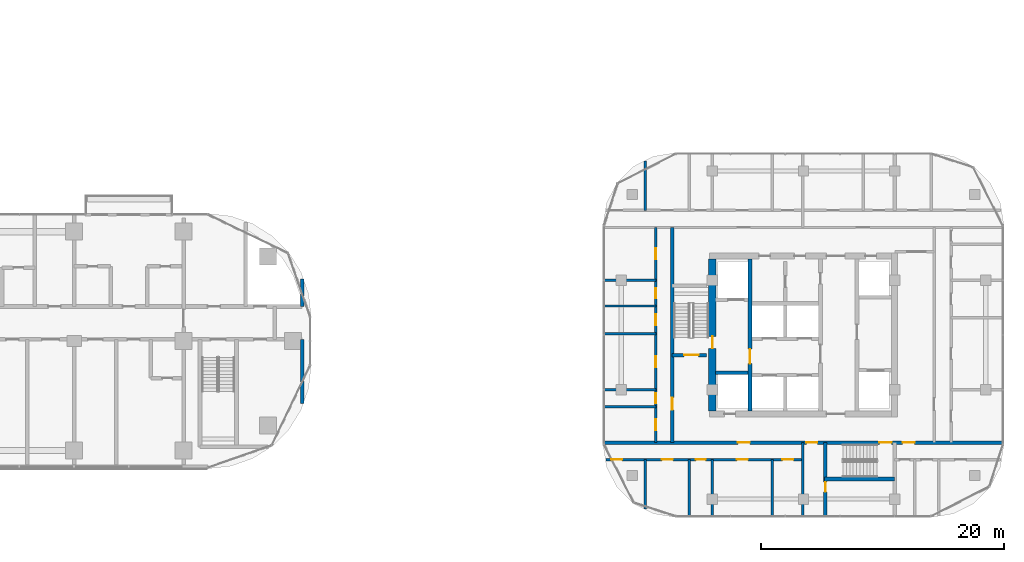
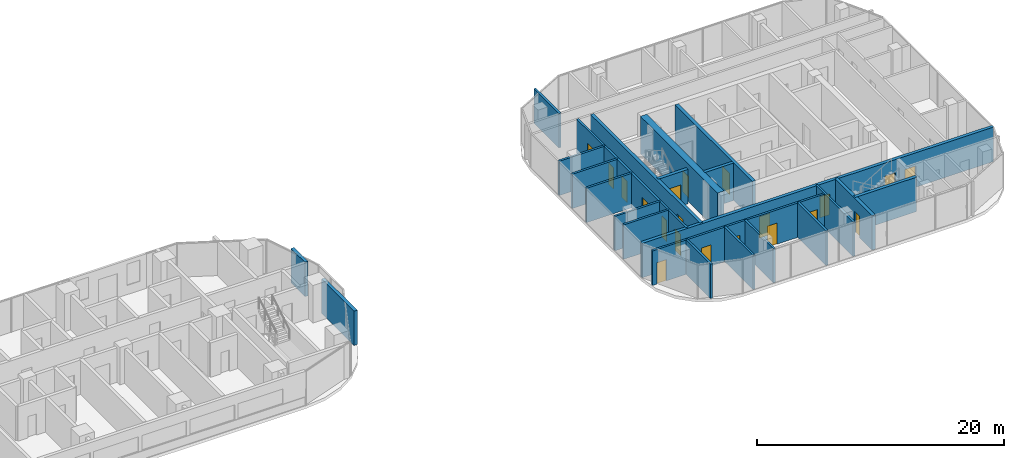
# One storey, part 20 of 31: 23 walls, 20 doors, 20 openings.
"""IFC4 building model written with IfcOpenShell, lengths in metres."""

from ifc_helpers import new_model, si_unit, direction, frame, frame_2d, origin, place, context, subcontext, project, spatial, rectangle, extrude, material, layer, layer_set, type_object, element, fill, save


model = new_model("IFC4")

# Units and contexts
model_context = context("Model", 3, precision=1e-05, world=origin(), true_north=direction((0.0, 1.0)))
body_context = subcontext(model_context, "Body", "Model", "MODEL_VIEW")
ifc_project = project(units=[si_unit("LENGTHUNIT", "METRE"), si_unit("AREAUNIT", "SQUARE_METRE"), si_unit("VOLUMEUNIT", "CUBIC_METRE"), si_unit("PLANEANGLEUNIT", "RADIAN"), si_unit("MASSUNIT", "GRAM", prefix="KILO")], contexts=[model_context])

# Site, building, storey
site_placement = place(None, origin())
site = spatial("IfcSite", under=ifc_project, at=site_placement, CompositionType="ELEMENT")
building_placement = place(site_placement, origin())
building = spatial("IfcBuilding", under=site, at=building_placement, Name="Ogive Portal Towers", CompositionType="ELEMENT")
storey_placement = place(building_placement, frame((0.0, 0.0, 74.199951171875)))
storey = spatial("IfcBuildingStorey", under=building, at=storey_placement, Name="L17", CompositionType="ELEMENT", Elevation=74.199951171875)

# Wall, opening, door
ifc_material_1 = material(Name="Concrete C60/75", Category="concrete")
ifc_layer_1 = layer(ifc_material_1, 0.300048828125)
ifc_layer_set_1 = layer_set([ifc_layer_1], Name="CORE WALL 300 C60")
wall_type_1 = type_object("IfcWallType", Name="CORE WALL 300 C60", PredefinedType="SHEAR", material=ifc_layer_set_1)
wall_1_placement = place(storey_placement, frame((132.10009765625, 24.75, 0.0), z_axis=(0.0, 0.0, 1.0), x_axis=(0.0, 1.0, 0.0)))
wall_1 = element("IfcWall", 1, at=wall_1_placement, inside=storey, type_object=wall_type_1, Name="Tower B core wall BX1 L17", PredefinedType="SHEAR", context=body_context, shape_type="SweptSolid", body=[
    extrude(rectangle(XDim=12.5, YDim=0.300048828125, at=frame_2d((6.25, 0.0))), origin(), (0.0, 0.0, 1.0), 3.699951171875),
])
opening_1_placement = place(wall_1_placement, frame((3.89990234375, 0.0, 0.0)))
opening_1 = element("IfcOpeningElement", 2, at=opening_1_placement, cuts=wall_1, Name="Opening B05-042", PredefinedType="OPENING", context=body_context, shape_type="SweptSolid", body=[
    extrude(rectangle(XDim=1.199951171875, YDim=2.10009765625, at=frame_2d((0.60009765625, 1.050048828125))), frame((0.0, 0.16015625, 0.0), z_axis=(0.0, -1.0, 0.0), x_axis=(1.0, 0.0, 0.0)), (0.0, 0.0, 1.0), 0.320068359375),
])
ifc_material_2 = material(Name="Steel fire door", Category="steel")
door_type_1 = type_object("IfcDoorType", Name="DT-SWING-1200x2100-FD90S", OperationType="SINGLE_SWING_LEFT", PredefinedType="DOOR", material=ifc_material_2)
door_1_placement = place(opening_1_placement, origin())
door_1 = element("IfcDoor", 3, at=door_1_placement, inside=storey, type_object=door_type_1, Name="Door B05-042", OperationType="SINGLE_SWING_LEFT", OverallHeight=2.10009765625, OverallWidth=1.199951171875, PredefinedType="DOOR", context=body_context, shape_type="SweptSolid", body=[
    extrude(rectangle(XDim=1.199951171875, YDim=2.10009765625, at=frame_2d((0.60009765625, 1.050048828125))), frame((0.0, 0.02490234375, 0.0), z_axis=(0.0, -1.0, 0.0), x_axis=(1.0, 0.0, 0.0)), (0.0, 0.0, 1.0), 0.050048828125),
])
fill(opening_1, door_1)

# Wall
wall_2_placement = place(storey_placement, frame((129.25, 27.89990234375, 0.0), z_axis=(0.0, 0.0, 1.0), x_axis=(1.0, 0.0, 0.0)))
element("IfcWall", 4, at=wall_2_placement, inside=storey, type_object=wall_type_1, Name="Tower B core wall BY4 L17", PredefinedType="SHEAR", context=body_context, shape_type="SweptSolid", body=[
    extrude(rectangle(XDim=2.699951171875, YDim=0.300048828125, at=frame_2d((1.35009765625, 0.0))), origin(), (0.0, 0.0, 1.0), 3.699951171875),
])

# Wall, opening, door
ifc_layer_2 = layer(ifc_material_1, 0.60009765625)
ifc_layer_set_2 = layer_set([ifc_layer_2], Name="CORE WALL 600 C60")
wall_type_2 = type_object("IfcWallType", Name="CORE WALL 600 C60", PredefinedType="SHEAR", material=ifc_layer_set_2)
wall_3_placement = place(storey_placement, frame((129.0, 24.75, 0.0), z_axis=(0.0, 0.0, 1.0), x_axis=(0.0, 1.0, 0.0)))
wall_3 = element("IfcWall", 5, at=wall_3_placement, inside=storey, type_object=wall_type_2, Name="Tower B core wall BW L17", PredefinedType="SHEAR", context=body_context, shape_type="SweptSolid", body=[
    extrude(rectangle(XDim=12.5, YDim=0.60009765625, at=frame_2d((6.25, 0.0))), origin(), (0.0, 0.0, 1.0), 3.699951171875),
])
opening_2_placement = place(wall_3_placement, frame((5.14990234375, 0.0, 0.0)))
opening_2 = element("IfcOpeningElement", 6, at=opening_2_placement, cuts=wall_3, Name="Opening B05-044", PredefinedType="OPENING", context=body_context, shape_type="SweptSolid", body=[
    extrude(rectangle(XDim=1.0, YDim=2.10009765625, at=frame_2d((0.5, 1.050048828125))), frame((0.0, 0.31005859375, 0.0), z_axis=(0.0, -1.0, 0.0), x_axis=(1.0, 0.0, 0.0)), (0.0, 0.0, 1.0), 0.6201171875),
])
door_type_2 = type_object("IfcDoorType", Name="DT-SWING-1000x2100-FD90S", OperationType="SINGLE_SWING_LEFT", PredefinedType="DOOR", material=ifc_material_2)
door_2_placement = place(opening_2_placement, origin())
door_2 = element("IfcDoor", 7, at=door_2_placement, inside=storey, type_object=door_type_2, Name="Door B05-044", OperationType="SINGLE_SWING_RIGHT", OverallHeight=2.10009765625, OverallWidth=1.0, PredefinedType="DOOR", context=body_context, shape_type="SweptSolid", body=[
    extrude(rectangle(XDim=1.0, YDim=2.10009765625, at=frame_2d((0.5, 1.050048828125))), frame((0.0, 0.02490234375, 0.0), z_axis=(0.0, -1.0, 0.0), x_axis=(1.0, 0.0, 0.0)), (0.0, 0.0, 1.0), 0.050048828125),
])
fill(opening_2, door_2)

# Wall
ifc_material_3 = material(Name="Concrete C50/60", Category="concrete")
ifc_layer_3 = layer(ifc_material_3, 0.300048828125)
ifc_layer_set_3 = layer_set([ifc_layer_3], Name="STAIR WALL 300 C50")
wall_type_3 = type_object("IfcWallType", Name="STAIR WALL 300 C50", PredefinedType="SHEAR", material=ifc_layer_set_3)
wall_4_placement = place(storey_placement, frame((138.25, 19.14990234375, 0.0), z_axis=(0.0, 0.0, 1.0), x_axis=(1.0, 0.0, 0.0)))
element("IfcWall", 8, at=wall_4_placement, inside=storey, type_object=wall_type_3, Name="Stair wall ST-B2 L17", PredefinedType="SHEAR", context=body_context, shape_type="SweptSolid", body=[
    extrude(rectangle(XDim=5.75, YDim=0.300048828125, at=frame_2d((2.875, 0.0))), origin(), (0.0, 0.0, 1.0), 3.400146484375),
])

# Wall, openings, doors
wall_5_placement = place(storey_placement, frame((120.070068359375, 22.14990234375, 0.0), z_axis=(0.0, 0.0, 1.0), x_axis=(1.0, 0.0, 0.0)))
wall_5 = element("IfcWall", 9, at=wall_5_placement, inside=storey, type_object=wall_type_3, Name="Stair wall ST-B2 L17", PredefinedType="SHEAR", context=body_context, shape_type="SweptSolid", body=[
    extrude(rectangle(XDim=32.85986328125, YDim=0.300048828125, at=frame_2d((16.429931640625, 0.0))), origin(), (0.0, 0.0, 1.0), 3.400146484375),
])
opening_3_placement = place(wall_5_placement, frame((22.679931640625, 0.0, 0.0)))
opening_3 = element("IfcOpeningElement", 10, at=opening_3_placement, cuts=wall_5, Name="Opening B05-003", PredefinedType="OPENING", context=body_context, shape_type="SweptSolid", body=[
    extrude(rectangle(XDim=1.0, YDim=2.10009765625, at=frame_2d((0.5, 1.050048828125))), frame((0.0, 0.16015625, 0.0), z_axis=(0.0, -1.0, 0.0), x_axis=(1.0, 0.0, 0.0)), (0.0, 0.0, 1.0), 0.320068359375),
])
opening_4_placement = place(wall_5_placement, frame((11.030029296875, 0.0, 0.0)))
opening_4 = element("IfcOpeningElement", 11, at=opening_4_placement, cuts=wall_5, Name="Opening B05-016", PredefinedType="OPENING", context=body_context, shape_type="SweptSolid", body=[
    extrude(rectangle(XDim=1.0, YDim=2.10009765625, at=frame_2d((0.5, 1.050048828125))), frame((0.0, 0.16015625, 0.0), z_axis=(0.0, -1.0, 0.0), x_axis=(1.0, 0.0, 0.0)), (0.0, 0.0, 1.0), 0.320068359375),
])
opening_5_placement = place(wall_5_placement, frame((24.580078125, 0.0, 0.0)))
opening_5 = element("IfcOpeningElement", 12, at=opening_5_placement, cuts=wall_5, Name="Opening B05-022", PredefinedType="OPENING", context=body_context, shape_type="SweptSolid", body=[
    extrude(rectangle(XDim=1.0, YDim=2.10009765625, at=frame_2d((0.5, 1.050048828125))), frame((0.0, 0.16015625, 0.0), z_axis=(0.0, -1.0, 0.0), x_axis=(1.0, 0.0, 0.0)), (0.0, 0.0, 1.0), 0.320068359375),
])
opening_6_placement = place(wall_5_placement, frame((16.679931640625, 0.0, 0.0)))
opening_6 = element("IfcOpeningElement", 13, at=opening_6_placement, cuts=wall_5, Name="Opening B05-026", PredefinedType="OPENING", context=body_context, shape_type="SweptSolid", body=[
    extrude(rectangle(XDim=0.89990234375, YDim=2.10009765625, at=frame_2d((0.449951171875, 1.050048828125))), frame((0.0, 0.16015625, 0.0), z_axis=(0.0, -1.0, 0.0), x_axis=(1.0, 0.0, 0.0)), (0.0, 0.0, 1.0), 0.320068359375),
])
door_3_placement = place(opening_3_placement, origin())
door_3 = element("IfcDoor", 14, at=door_3_placement, inside=storey, type_object=door_type_2, Name="Door B05-003", OperationType="SINGLE_SWING_LEFT", OverallHeight=2.10009765625, OverallWidth=1.0, PredefinedType="DOOR", context=body_context, shape_type="SweptSolid", body=[
    extrude(rectangle(XDim=1.0, YDim=2.10009765625, at=frame_2d((0.5, 1.050048828125))), frame((0.0, 0.02490234375, 0.0), z_axis=(0.0, -1.0, 0.0), x_axis=(1.0, 0.0, 0.0)), (0.0, 0.0, 1.0), 0.050048828125),
])
fill(opening_3, door_3)
door_4_placement = place(opening_4_placement, origin())
door_4 = element("IfcDoor", 15, at=door_4_placement, inside=storey, type_object=door_type_2, Name="Door B05-016", OperationType="SINGLE_SWING_RIGHT", OverallHeight=2.10009765625, OverallWidth=1.0, PredefinedType="DOOR", context=body_context, shape_type="SweptSolid", body=[
    extrude(rectangle(XDim=1.0, YDim=2.10009765625, at=frame_2d((0.5, 1.050048828125))), frame((0.0, 0.02490234375, 0.0), z_axis=(0.0, -1.0, 0.0), x_axis=(1.0, 0.0, 0.0)), (0.0, 0.0, 1.0), 0.050048828125),
])
fill(opening_4, door_4)
door_5_placement = place(opening_5_placement, origin())
door_5 = element("IfcDoor", 16, at=door_5_placement, inside=storey, type_object=door_type_2, Name="Door B05-022", OperationType="SINGLE_SWING_RIGHT", OverallHeight=2.10009765625, OverallWidth=1.0, PredefinedType="DOOR", context=body_context, shape_type="SweptSolid", body=[
    extrude(rectangle(XDim=1.0, YDim=2.10009765625, at=frame_2d((0.5, 1.050048828125))), frame((0.0, 0.02490234375, 0.0), z_axis=(0.0, -1.0, 0.0), x_axis=(1.0, 0.0, 0.0)), (0.0, 0.0, 1.0), 0.050048828125),
])
fill(opening_5, door_5)
door_type_3 = type_object("IfcDoorType", Name="DT-SWING-900x2100-FD90S", OperationType="SINGLE_SWING_LEFT", PredefinedType="DOOR", material=ifc_material_2)
door_6_placement = place(opening_6_placement, origin())
door_6 = element("IfcDoor", 17, at=door_6_placement, inside=storey, type_object=door_type_3, Name="Door B05-026", OperationType="SINGLE_SWING_RIGHT", OverallHeight=2.10009765625, OverallWidth=0.89990234375, PredefinedType="DOOR", context=body_context, shape_type="SweptSolid", body=[
    extrude(rectangle(XDim=0.89990234375, YDim=2.10009765625, at=frame_2d((0.449951171875, 1.050048828125))), frame((0.0, 0.02490234375, 0.0), z_axis=(0.0, -1.0, 0.0), x_axis=(1.0, 0.0, 0.0)), (0.0, 0.0, 1.0), 0.050048828125),
])
fill(opening_6, door_6)

# Wall, opening, door
wall_6_placement = place(storey_placement, frame((125.699951171875, 29.35009765625, 0.0), z_axis=(0.0, 0.0, 1.0), x_axis=(1.0, 0.0, 0.0)))
wall_6 = element("IfcWall", 18, at=wall_6_placement, inside=storey, type_object=wall_type_3, Name="Stair wall ST-B1 L17", PredefinedType="SHEAR", context=body_context, shape_type="SweptSolid", body=[
    extrude(rectangle(XDim=2.830078125, YDim=0.300048828125, at=frame_2d((1.4150390625, 0.0))), origin(), (0.0, 0.0, 1.0), 3.400146484375),
])
opening_7_placement = place(wall_6_placement, frame((0.97509765625, 0.0, 0.0)))
opening_7 = element("IfcOpeningElement", 19, at=opening_7_placement, cuts=wall_6, Name="Opening B05-002", PredefinedType="OPENING", context=body_context, shape_type="SweptSolid", body=[
    extrude(rectangle(XDim=1.199951171875, YDim=2.10009765625, at=frame_2d((0.60009765625, 1.050048828125))), frame((0.0, 0.16015625, 0.0), z_axis=(0.0, -1.0, 0.0), x_axis=(1.0, 0.0, 0.0)), (0.0, 0.0, 1.0), 0.320068359375),
])
door_7_placement = place(opening_7_placement, origin())
door_7 = element("IfcDoor", 20, at=door_7_placement, inside=storey, type_object=door_type_1, Name="Door B05-002", OperationType="SINGLE_SWING_RIGHT", OverallHeight=2.10009765625, OverallWidth=1.199951171875, PredefinedType="DOOR", context=body_context, shape_type="SweptSolid", body=[
    extrude(rectangle(XDim=1.199951171875, YDim=2.10009765625, at=frame_2d((0.60009765625, 1.050048828125))), frame((0.0, 0.02490234375, 0.0), z_axis=(0.0, -1.0, 0.0), x_axis=(1.0, 0.0, 0.0)), (0.0, 0.0, 1.0), 0.050048828125),
])
fill(opening_7, door_7)

wall_7_placement = place(storey_placement, frame((125.699951171875, 22.14990234375, 0.0), z_axis=(0.0, 0.0, 1.0), x_axis=(0.0, 1.0, 0.0)))
wall_7 = element("IfcWall", 21, at=wall_7_placement, inside=storey, type_object=wall_type_3, Name="Stair wall ST-B1 L17", PredefinedType="SHEAR", context=body_context, shape_type="SweptSolid", body=[
    extrude(rectangle(XDim=17.7001953125, YDim=0.300048828125, at=frame_2d((8.85009765625, 0.0))), origin(), (0.0, 0.0, 1.0), 3.400146484375),
])
opening_8_placement = place(wall_7_placement, frame((2.699951171875, 0.0, 0.0)))
opening_8 = element("IfcOpeningElement", 22, at=opening_8_placement, cuts=wall_7, Name="Opening B05-028", PredefinedType="OPENING", context=body_context, shape_type="SweptSolid", body=[
    extrude(rectangle(XDim=1.0, YDim=2.10009765625, at=frame_2d((0.5, 1.050048828125))), frame((0.0, 0.16015625, 0.0), z_axis=(0.0, -1.0, 0.0), x_axis=(1.0, 0.0, 0.0)), (0.0, 0.0, 1.0), 0.320068359375),
])
door_8_placement = place(opening_8_placement, origin())
door_8 = element("IfcDoor", 23, at=door_8_placement, inside=storey, type_object=door_type_2, Name="Door B05-028", OperationType="SINGLE_SWING_RIGHT", OverallHeight=2.10009765625, OverallWidth=1.0, PredefinedType="DOOR", context=body_context, shape_type="SweptSolid", body=[
    extrude(rectangle(XDim=1.0, YDim=2.10009765625, at=frame_2d((0.5, 1.050048828125))), frame((0.0, 0.02490234375, 0.0), z_axis=(0.0, -1.0, 0.0), x_axis=(1.0, 0.0, 0.0)), (0.0, 0.0, 1.0), 0.050048828125),
])
fill(opening_8, door_8)

wall_8_placement = place(storey_placement, frame((138.300048828125, 16.070068359375, 0.0), z_axis=(0.0, 0.0, 1.0), x_axis=(0.0, 1.0, 0.0)))
wall_8 = element("IfcWall", 24, at=wall_8_placement, inside=storey, type_object=wall_type_3, Name="Stair wall ST-B2 L17", PredefinedType="SHEAR", context=body_context, shape_type="SweptSolid", body=[
    extrude(rectangle(XDim=6.079833984375, YDim=0.300048828125, at=frame_2d((3.0400390625, 0.0))), origin(), (0.0, 0.0, 1.0), 3.400146484375),
])
opening_9_placement = place(wall_8_placement, frame((2.030029296875, 0.0, 0.0)))
opening_9 = element("IfcOpeningElement", 25, at=opening_9_placement, cuts=wall_8, Name="Opening B05-027", PredefinedType="OPENING", context=body_context, shape_type="SweptSolid", body=[
    extrude(rectangle(XDim=0.800048828125, YDim=2.10009765625, at=frame_2d((0.39990234375, 1.050048828125))), frame((0.0, 0.16015625, 0.0), z_axis=(0.0, -1.0, 0.0), x_axis=(1.0, 0.0, 0.0)), (0.0, 0.0, 1.0), 0.320068359375),
])
door_type_4 = type_object("IfcDoorType", Name="DT-SWING-800x2100-FD90S", OperationType="SINGLE_SWING_LEFT", PredefinedType="DOOR", material=ifc_material_2)
door_9_placement = place(opening_9_placement, origin())
door_9 = element("IfcDoor", 26, at=door_9_placement, inside=storey, type_object=door_type_4, Name="Door B05-027", OperationType="SINGLE_SWING_LEFT", OverallHeight=2.10009765625, OverallWidth=0.800048828125, PredefinedType="DOOR", context=body_context, shape_type="SweptSolid", body=[
    extrude(rectangle(XDim=0.800048828125, YDim=2.10009765625, at=frame_2d((0.39990234375, 1.050048828125))), frame((0.0, 0.02490234375, 0.0), z_axis=(0.0, -1.0, 0.0), x_axis=(1.0, 0.0, 0.0)), (0.0, 0.0, 1.0), 0.050048828125),
])
fill(opening_9, door_9)

# Wall, openings, doors
ifc_material_4 = material(Name="Gypsum board partition on steel studs", Category="steel")
ifc_layer_4 = layer(ifc_material_4, 0.199951171875)
ifc_layer_set_4 = layer_set([ifc_layer_4], Name="WT-PART-200-EI 60")
wall_type_4 = type_object("IfcWallType", Name="WT-PART-200-EI 60", PredefinedType="PARTITIONING", material=ifc_layer_set_4)
wall_9_placement = place(storey_placement, frame((120.26904296875, 20.75, 0.0), z_axis=(0.0, 0.0, 1.0), x_axis=(1.0, 0.0, 0.0)))
wall_9 = element("IfcWall", 27, at=wall_9_placement, inside=storey, type_object=wall_type_4, Name="Wall L17:w002", PredefinedType="PARTITIONING", context=body_context, shape_type="SweptSolid", body=[
    extrude(rectangle(XDim=16.23095703125, YDim=0.199951171875, at=frame_2d((8.115478515625, 0.0))), origin(), (0.0, 0.0, 1.0), 3.400146484375),
])
opening_10_placement = place(wall_9_placement, frame((0.4140625, 0.0, 0.0)))
opening_10 = element("IfcOpeningElement", 28, at=opening_10_placement, cuts=wall_9, Name="Opening B05-017", PredefinedType="OPENING", context=body_context, shape_type="SweptSolid", body=[
    extrude(rectangle(XDim=0.89990234375, YDim=2.10009765625, at=frame_2d((0.449951171875, 1.050048828125))), frame((0.0, 0.10986328125, 0.0), z_axis=(0.0, -1.0, 0.0), x_axis=(1.0, 0.0, 0.0)), (0.0, 0.0, 1.0), 0.219970703125),
])
opening_11_placement = place(wall_9_placement, frame((4.5810546875, 0.0, 0.0)))
opening_11 = element("IfcOpeningElement", 29, at=opening_11_placement, cuts=wall_9, Name="Opening B05-018", PredefinedType="OPENING", context=body_context, shape_type="SweptSolid", body=[
    extrude(rectangle(XDim=0.89990234375, YDim=2.10009765625, at=frame_2d((0.449951171875, 1.050048828125))), frame((0.0, 0.10986328125, 0.0), z_axis=(0.0, -1.0, 0.0), x_axis=(1.0, 0.0, 0.0)), (0.0, 0.0, 1.0), 0.219970703125),
])
opening_12_placement = place(wall_9_placement, frame((7.381103515625, 0.0, 0.0)))
opening_12 = element("IfcOpeningElement", 30, at=opening_12_placement, cuts=wall_9, Name="Opening B05-019", PredefinedType="OPENING", context=body_context, shape_type="SweptSolid", body=[
    extrude(rectangle(XDim=0.800048828125, YDim=2.10009765625, at=frame_2d((0.39990234375, 1.050048828125))), frame((0.0, 0.10986328125, 0.0), z_axis=(0.0, -1.0, 0.0), x_axis=(1.0, 0.0, 0.0)), (0.0, 0.0, 1.0), 0.219970703125),
])
opening_13_placement = place(wall_9_placement, frame((10.748046875, 0.0, 0.0)))
opening_13 = element("IfcOpeningElement", 31, at=opening_13_placement, cuts=wall_9, Name="Opening B05-020", PredefinedType="OPENING", context=body_context, shape_type="SweptSolid", body=[
    extrude(rectangle(XDim=0.89990234375, YDim=2.10009765625, at=frame_2d((0.449951171875, 1.050048828125))), frame((0.0, 0.10986328125, 0.0), z_axis=(0.0, -1.0, 0.0), x_axis=(1.0, 0.0, 0.0)), (0.0, 0.0, 1.0), 0.219970703125),
])
opening_14_placement = place(wall_9_placement, frame((14.498046875, 0.0, 0.0)))
opening_14 = element("IfcOpeningElement", 32, at=opening_14_placement, cuts=wall_9, Name="Opening B05-021", PredefinedType="OPENING", context=body_context, shape_type="SweptSolid", body=[
    extrude(rectangle(XDim=0.89990234375, YDim=2.10009765625, at=frame_2d((0.449951171875, 1.050048828125))), frame((0.0, 0.10986328125, 0.0), z_axis=(0.0, -1.0, 0.0), x_axis=(1.0, 0.0, 0.0)), (0.0, 0.0, 1.0), 0.219970703125),
])
door_type_5 = type_object("IfcDoorType", Name="DT-SWING-800x2100-FD60S", OperationType="SINGLE_SWING_LEFT", PredefinedType="DOOR", material=ifc_material_2)
door_10_placement = place(opening_12_placement, origin())
door_10 = element("IfcDoor", 33, at=door_10_placement, inside=storey, type_object=door_type_5, Name="Door B05-019", OperationType="SINGLE_SWING_LEFT", OverallHeight=2.10009765625, OverallWidth=0.800048828125, PredefinedType="DOOR", context=body_context, shape_type="SweptSolid", body=[
    extrude(rectangle(XDim=0.800048828125, YDim=2.10009765625, at=frame_2d((0.39990234375, 1.050048828125))), frame((0.0, 0.02490234375, 0.0), z_axis=(0.0, -1.0, 0.0), x_axis=(1.0, 0.0, 0.0)), (0.0, 0.0, 1.0), 0.050048828125),
])
fill(opening_12, door_10)
door_type_6 = type_object("IfcDoorType", Name="DT-SWING-900x2100-FD60S", OperationType="SINGLE_SWING_LEFT", PredefinedType="DOOR", material=ifc_material_2)
door_11_placement = place(opening_10_placement, origin())
door_11 = element("IfcDoor", 34, at=door_11_placement, inside=storey, type_object=door_type_6, Name="Door B05-017", OperationType="SINGLE_SWING_LEFT", OverallHeight=2.10009765625, OverallWidth=0.89990234375, PredefinedType="DOOR", context=body_context, shape_type="SweptSolid", body=[
    extrude(rectangle(XDim=0.89990234375, YDim=2.10009765625, at=frame_2d((0.449951171875, 1.050048828125))), frame((0.0, 0.02490234375, 0.0), z_axis=(0.0, -1.0, 0.0), x_axis=(1.0, 0.0, 0.0)), (0.0, 0.0, 1.0), 0.050048828125),
])
fill(opening_10, door_11)
door_12_placement = place(opening_11_placement, origin())
door_12 = element("IfcDoor", 35, at=door_12_placement, inside=storey, type_object=door_type_6, Name="Door B05-018", OperationType="SINGLE_SWING_RIGHT", OverallHeight=2.10009765625, OverallWidth=0.89990234375, PredefinedType="DOOR", context=body_context, shape_type="SweptSolid", body=[
    extrude(rectangle(XDim=0.89990234375, YDim=2.10009765625, at=frame_2d((0.449951171875, 1.050048828125))), frame((0.0, 0.02490234375, 0.0), z_axis=(0.0, -1.0, 0.0), x_axis=(1.0, 0.0, 0.0)), (0.0, 0.0, 1.0), 0.050048828125),
])
fill(opening_11, door_12)
door_13_placement = place(opening_13_placement, origin())
door_13 = element("IfcDoor", 36, at=door_13_placement, inside=storey, type_object=door_type_6, Name="Door B05-020", OperationType="SINGLE_SWING_RIGHT", OverallHeight=2.10009765625, OverallWidth=0.89990234375, PredefinedType="DOOR", context=body_context, shape_type="SweptSolid", body=[
    extrude(rectangle(XDim=0.89990234375, YDim=2.10009765625, at=frame_2d((0.449951171875, 1.050048828125))), frame((0.0, 0.02490234375, 0.0), z_axis=(0.0, -1.0, 0.0), x_axis=(1.0, 0.0, 0.0)), (0.0, 0.0, 1.0), 0.050048828125),
])
fill(opening_13, door_13)
door_14_placement = place(opening_14_placement, origin())
door_14 = element("IfcDoor", 37, at=door_14_placement, inside=storey, type_object=door_type_6, Name="Door B05-021", OperationType="SINGLE_SWING_LEFT", OverallHeight=2.10009765625, OverallWidth=0.89990234375, PredefinedType="DOOR", context=body_context, shape_type="SweptSolid", body=[
    extrude(rectangle(XDim=0.89990234375, YDim=2.10009765625, at=frame_2d((0.449951171875, 1.050048828125))), frame((0.0, 0.02490234375, 0.0), z_axis=(0.0, -1.0, 0.0), x_axis=(1.0, 0.0, 0.0)), (0.0, 0.0, 1.0), 0.050048828125),
])
fill(opening_14, door_14)

# Walls
for number, where, z_axis, x_axis, name in (
    (38, (120.070068359375, 25.10595703125, 0.0), (0.0, 0.0, 1.0), (1.0, 0.0, 0.0), "Wall L17:w007"),
    (39, (120.070068359375, 26.5, 0.0), (0.0, 0.0, 1.0), (1.0, 0.0, 0.0), "Wall L17:w008"),
    (40, (120.070068359375, 31.091064453125, 0.0), (0.0, 0.0, 1.0), (1.0, 0.0, 0.0), "Wall L17:w011"),
    (41, (120.070068359375, 33.39111328125, 0.0), (0.0, 0.0, 1.0), (1.0, 0.0, 0.0), "Wall L17:w013"),
    (42, (120.070068359375, 35.5, 0.0), (0.0, 0.0, 1.0), (1.0, 0.0, 0.0), "Wall L17:w015"),
):
    element("IfcWall", number, at=place(storey_placement, frame(where, z_axis=z_axis, x_axis=x_axis)), inside=storey, type_object=wall_type_4, Name=name, PredefinedType="PARTITIONING", context=body_context, shape_type="SweptSolid", body=[
        extrude(rectangle(XDim=4.280029296875, YDim=0.199951171875, at=frame_2d((2.14013671875, 0.0))), origin(), (0.0, 0.0, 1.0), 3.400146484375),
    ])
for number, where, z_axis, x_axis, name in (
    (43, (123.5, 16.700927734375, 0.0), (0.0, 0.0, 1.0), (0.0, 1.0, 0.0), "Wall L17:w022"),
    (44, (123.5, 41.25, 0.0), (0.0, 0.0, 1.0), (0.0, 1.0, 0.0), "Wall L17:w023"),
):
    element("IfcWall", number, at=place(storey_placement, frame(where, z_axis=z_axis, x_axis=x_axis)), inside=storey, type_object=wall_type_4, Name=name, PredefinedType="PARTITIONING", context=body_context, shape_type="SweptSolid", body=[
        extrude(rectangle(XDim=4.049072265625, YDim=0.199951171875, at=frame_2d((2.0244140625, 0.0))), origin(), (0.0, 0.0, 1.0), 3.400146484375),
    ])

# Wall, openings, doors
wall_10_placement = place(storey_placement, frame((124.35009765625, 22.14990234375, 0.0), z_axis=(0.0, 0.0, 1.0), x_axis=(0.0, 1.0, 0.0)))
wall_10 = element("IfcWall", 45, at=wall_10_placement, inside=storey, type_object=wall_type_4, Name="Wall L17:w024", PredefinedType="PARTITIONING", context=body_context, shape_type="SweptSolid", body=[
    extrude(rectangle(XDim=17.7001953125, YDim=0.199951171875, at=frame_2d((8.85009765625, 0.0))), origin(), (0.0, 0.0, 1.0), 3.400146484375),
])
opening_15_placement = place(wall_10_placement, frame((1.028076171875, 0.0, 0.0)))
opening_15 = element("IfcOpeningElement", 46, at=opening_15_placement, cuts=wall_10, Name="Opening B05-029", PredefinedType="OPENING", context=body_context, shape_type="SweptSolid", body=[
    extrude(rectangle(XDim=0.89990234375, YDim=2.10009765625, at=frame_2d((0.449951171875, 1.050048828125))), frame((0.0, 0.10986328125, 0.0), z_axis=(0.0, -1.0, 0.0), x_axis=(1.0, 0.0, 0.0)), (0.0, 0.0, 1.0), 0.219970703125),
])
opening_16_placement = place(wall_10_placement, frame((3.2529296875, 0.0, 0.0)))
opening_16 = element("IfcOpeningElement", 47, at=opening_16_placement, cuts=wall_10, Name="Opening B05-030", PredefinedType="OPENING", context=body_context, shape_type="SweptSolid", body=[
    extrude(rectangle(XDim=0.800048828125, YDim=2.10009765625, at=frame_2d((0.39990234375, 1.050048828125))), frame((0.0, 0.10986328125, 0.0), z_axis=(0.0, -1.0, 0.0), x_axis=(1.0, 0.0, 0.0)), (0.0, 0.0, 1.0), 0.219970703125),
])
opening_17_placement = place(wall_10_placement, frame((6.195068359375, 0.0, 0.0)))
opening_17 = element("IfcOpeningElement", 48, at=opening_17_placement, cuts=wall_10, Name="Opening B05-031", PredefinedType="OPENING", context=body_context, shape_type="SweptSolid", body=[
    extrude(rectangle(XDim=0.89990234375, YDim=2.10009765625, at=frame_2d((0.449951171875, 1.050048828125))), frame((0.0, 0.10986328125, 0.0), z_axis=(0.0, -1.0, 0.0), x_axis=(1.0, 0.0, 0.0)), (0.0, 0.0, 1.0), 0.219970703125),
])
opening_18_placement = place(wall_10_placement, frame((9.64111328125, 0.0, 0.0)))
opening_18 = element("IfcOpeningElement", 49, at=opening_18_placement, cuts=wall_10, Name="Opening B05-032", PredefinedType="OPENING", context=body_context, shape_type="SweptSolid", body=[
    extrude(rectangle(XDim=0.89990234375, YDim=2.10009765625, at=frame_2d((0.449951171875, 1.050048828125))), frame((0.0, 0.10986328125, 0.0), z_axis=(0.0, -1.0, 0.0), x_axis=(1.0, 0.0, 0.0)), (0.0, 0.0, 1.0), 0.219970703125),
])
opening_19_placement = place(wall_10_placement, frame((11.89501953125, 0.0, 0.0)))
opening_19 = element("IfcOpeningElement", 50, at=opening_19_placement, cuts=wall_10, Name="Opening B05-033", PredefinedType="OPENING", context=body_context, shape_type="SweptSolid", body=[
    extrude(rectangle(XDim=0.800048828125, YDim=2.10009765625, at=frame_2d((0.39990234375, 1.050048828125))), frame((0.0, 0.10986328125, 0.0), z_axis=(0.0, -1.0, 0.0), x_axis=(1.0, 0.0, 0.0)), (0.0, 0.0, 1.0), 0.219970703125),
])
opening_20_placement = place(wall_10_placement, frame((15.074951171875, 0.0, 0.0)))
opening_20 = element("IfcOpeningElement", 51, at=opening_20_placement, cuts=wall_10, Name="Opening B05-034", PredefinedType="OPENING", context=body_context, shape_type="SweptSolid", body=[
    extrude(rectangle(XDim=0.89990234375, YDim=2.10009765625, at=frame_2d((0.449951171875, 1.050048828125))), frame((0.0, 0.10986328125, 0.0), z_axis=(0.0, -1.0, 0.0), x_axis=(1.0, 0.0, 0.0)), (0.0, 0.0, 1.0), 0.219970703125),
])
door_15_placement = place(opening_16_placement, origin())
door_15 = element("IfcDoor", 52, at=door_15_placement, inside=storey, type_object=door_type_5, Name="Door B05-030", OperationType="SINGLE_SWING_RIGHT", OverallHeight=2.10009765625, OverallWidth=0.800048828125, PredefinedType="DOOR", context=body_context, shape_type="SweptSolid", body=[
    extrude(rectangle(XDim=0.800048828125, YDim=2.10009765625, at=frame_2d((0.39990234375, 1.050048828125))), frame((0.0, 0.02490234375, 0.0), z_axis=(0.0, -1.0, 0.0), x_axis=(1.0, 0.0, 0.0)), (0.0, 0.0, 1.0), 0.050048828125),
])
fill(opening_16, door_15)
door_16_placement = place(opening_19_placement, origin())
door_16 = element("IfcDoor", 53, at=door_16_placement, inside=storey, type_object=door_type_5, Name="Door B05-033", OperationType="SINGLE_SWING_LEFT", OverallHeight=2.10009765625, OverallWidth=0.800048828125, PredefinedType="DOOR", context=body_context, shape_type="SweptSolid", body=[
    extrude(rectangle(XDim=0.800048828125, YDim=2.10009765625, at=frame_2d((0.39990234375, 1.050048828125))), frame((0.0, 0.02490234375, 0.0), z_axis=(0.0, -1.0, 0.0), x_axis=(1.0, 0.0, 0.0)), (0.0, 0.0, 1.0), 0.050048828125),
])
fill(opening_19, door_16)
door_17_placement = place(opening_15_placement, origin())
door_17 = element("IfcDoor", 54, at=door_17_placement, inside=storey, type_object=door_type_6, Name="Door B05-029", OperationType="SINGLE_SWING_LEFT", OverallHeight=2.10009765625, OverallWidth=0.89990234375, PredefinedType="DOOR", context=body_context, shape_type="SweptSolid", body=[
    extrude(rectangle(XDim=0.89990234375, YDim=2.10009765625, at=frame_2d((0.449951171875, 1.050048828125))), frame((0.0, 0.02490234375, 0.0), z_axis=(0.0, -1.0, 0.0), x_axis=(1.0, 0.0, 0.0)), (0.0, 0.0, 1.0), 0.050048828125),
])
fill(opening_15, door_17)
door_18_placement = place(opening_17_placement, origin())
door_18 = element("IfcDoor", 55, at=door_18_placement, inside=storey, type_object=door_type_6, Name="Door B05-031", OperationType="SINGLE_SWING_LEFT", OverallHeight=2.10009765625, OverallWidth=0.89990234375, PredefinedType="DOOR", context=body_context, shape_type="SweptSolid", body=[
    extrude(rectangle(XDim=0.89990234375, YDim=2.10009765625, at=frame_2d((0.449951171875, 1.050048828125))), frame((0.0, 0.02490234375, 0.0), z_axis=(0.0, -1.0, 0.0), x_axis=(1.0, 0.0, 0.0)), (0.0, 0.0, 1.0), 0.050048828125),
])
fill(opening_17, door_18)
door_19_placement = place(opening_18_placement, origin())
door_19 = element("IfcDoor", 56, at=door_19_placement, inside=storey, type_object=door_type_6, Name="Door B05-032", OperationType="SINGLE_SWING_RIGHT", OverallHeight=2.10009765625, OverallWidth=0.89990234375, PredefinedType="DOOR", context=body_context, shape_type="SweptSolid", body=[
    extrude(rectangle(XDim=0.89990234375, YDim=2.10009765625, at=frame_2d((0.449951171875, 1.050048828125))), frame((0.0, 0.02490234375, 0.0), z_axis=(0.0, -1.0, 0.0), x_axis=(1.0, 0.0, 0.0)), (0.0, 0.0, 1.0), 0.050048828125),
])
fill(opening_18, door_19)
door_20_placement = place(opening_20_placement, origin())
door_20 = element("IfcDoor", 57, at=door_20_placement, inside=storey, type_object=door_type_6, Name="Door B05-034", OperationType="SINGLE_SWING_RIGHT", OverallHeight=2.10009765625, OverallWidth=0.89990234375, PredefinedType="DOOR", context=body_context, shape_type="SweptSolid", body=[
    extrude(rectangle(XDim=0.89990234375, YDim=2.10009765625, at=frame_2d((0.449951171875, 1.050048828125))), frame((0.0, 0.02490234375, 0.0), z_axis=(0.0, -1.0, 0.0), x_axis=(1.0, 0.0, 0.0)), (0.0, 0.0, 1.0), 0.050048828125),
])
fill(opening_20, door_20)

# Walls
for number, where, z_axis, x_axis, name in (
    (58, (127.10009765625, 16.070068359375, 0.0), (0.0, 0.0, 1.0), (0.0, 1.0, 0.0), "Wall L17:w026"),
    (59, (129.0, 16.070068359375, 0.0), (0.0, 0.0, 1.0), (0.0, 1.0, 0.0), "Wall L17:w030"),
    (60, (133.93310546875, 16.070068359375, 0.0), (0.0, 0.0, 1.0), (0.0, 1.0, 0.0), "Wall L17:w032"),
):
    element("IfcWall", number, at=place(storey_placement, frame(where, z_axis=z_axis, x_axis=x_axis)), inside=storey, type_object=wall_type_4, Name=name, PredefinedType="PARTITIONING", context=body_context, shape_type="SweptSolid", body=[
        extrude(rectangle(XDim=4.679931640625, YDim=0.199951171875, at=frame_2d((2.33984375, 0.0))), origin(), (0.0, 0.0, 1.0), 3.400146484375),
    ])
wall_11_placement = place(storey_placement, frame((136.449951171875, 16.070068359375, 0.0), z_axis=(0.0, 0.0, 1.0), x_axis=(0.0, 1.0, 0.0)))
element("IfcWall", 61, at=wall_11_placement, inside=storey, type_object=wall_type_4, Name="Wall L17:w035", PredefinedType="PARTITIONING", context=body_context, shape_type="SweptSolid", body=[
    extrude(rectangle(XDim=6.079833984375, YDim=0.199951171875, at=frame_2d((3.0400390625, 0.0))), origin(), (0.0, 0.0, 1.0), 3.400146484375),
])
ifc_layer_5 = layer(ifc_material_4, 0.300048828125)
ifc_layer_set_5 = layer_set([ifc_layer_5], Name="WT-PART-300-EI 60")
wall_type_5 = type_object("IfcWallType", Name="WT-PART-300-EI 60", PredefinedType="PARTITIONING", material=ifc_layer_set_5)
wall_12_placement = place(storey_placement, frame((95.25, 25.386962890625, 0.0), z_axis=(0.0, 0.0, 1.0), x_axis=(0.0, 1.0, 0.0)))
element("IfcWall", 62, at=wall_12_placement, inside=storey, type_object=wall_type_5, Name="Wall L17:w065", PredefinedType="PARTITIONING", context=body_context, shape_type="SweptSolid", body=[
    extrude(rectangle(XDim=5.262939453125, YDim=0.300048828125, at=frame_2d((2.63134765625, 0.0))), origin(), (0.0, 0.0, 1.0), 3.400146484375),
])
wall_13_placement = place(storey_placement, frame((95.25, 33.35009765625, 0.0), z_axis=(0.0, 0.0, 1.0), x_axis=(0.0, 1.0, 0.0)))
element("IfcWall", 63, at=wall_13_placement, inside=storey, type_object=wall_type_5, Name="Wall L17:w066", PredefinedType="PARTITIONING", context=body_context, shape_type="SweptSolid", body=[
    extrude(rectangle(XDim=2.262939453125, YDim=0.300048828125, at=frame_2d((1.13134765625, 0.0))), origin(), (0.0, 0.0, 1.0), 3.400146484375),
])

save(model, "model.ifc")
